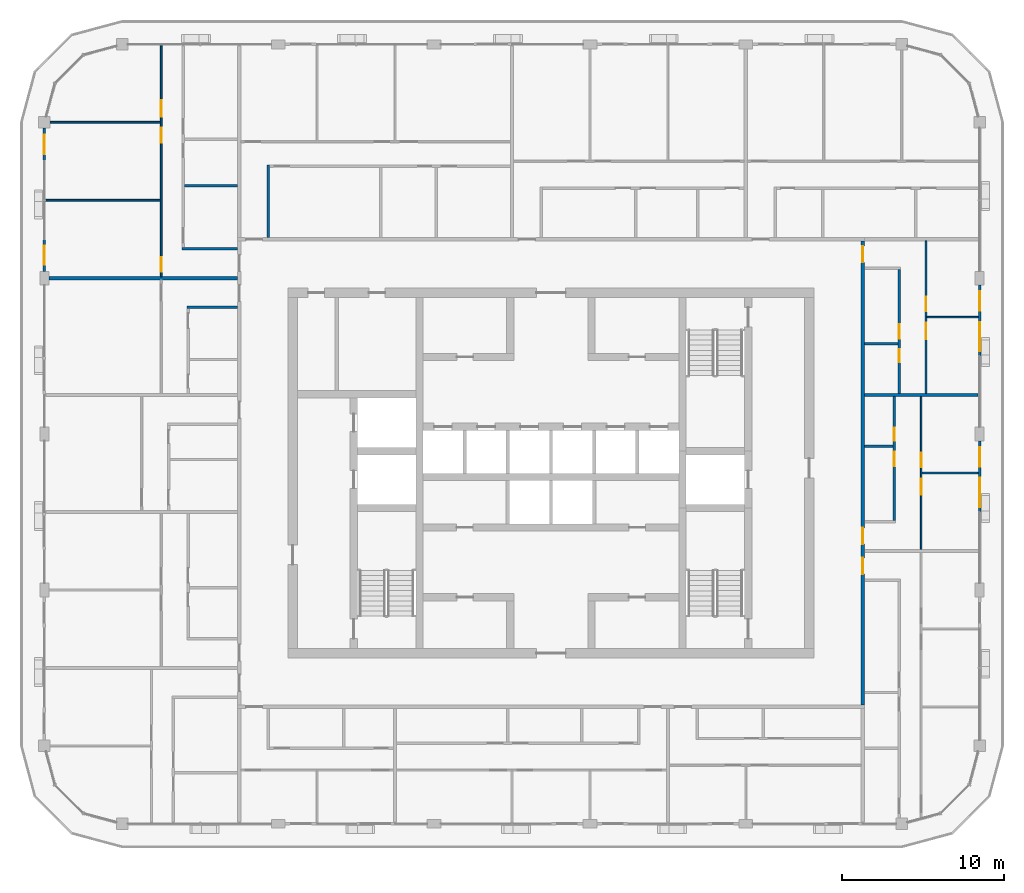
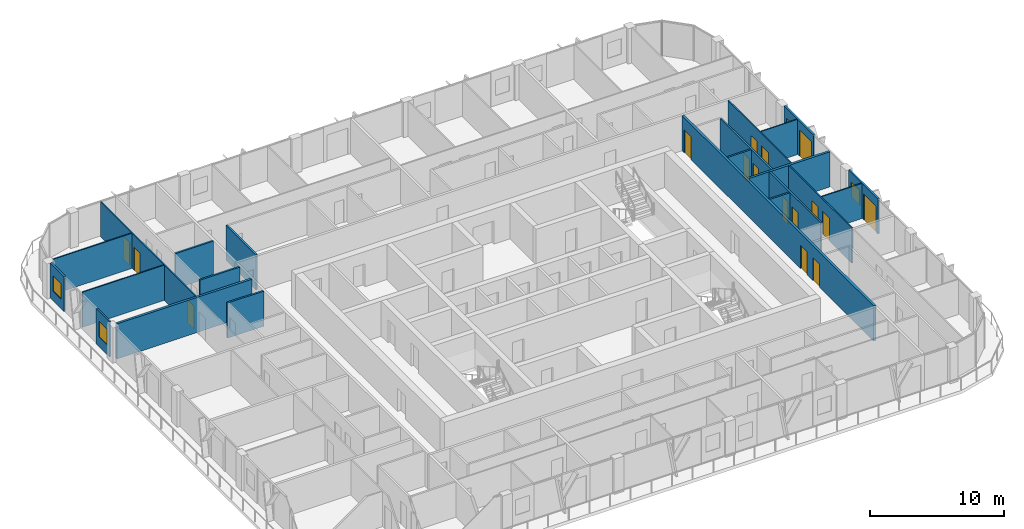
# One storey, part 13 of 21: 22 walls, 16 doors, 4 windows, 20 openings.
"""IFC4 building model written with IfcOpenShell, lengths in metres."""

from ifc_helpers import new_model, si_unit, direction, frame, frame_2d, origin, place, context, subcontext, project, spatial, rectangle, extrude, material, layer, layer_set, type_object, element, fill, save


model = new_model("IFC4")

# Units and contexts
model_context = context("Model", 3, precision=1e-05, world=origin(), true_north=direction((0.0, 1.0)))
body_context = subcontext(model_context, "Body", "Model", "MODEL_VIEW")
ifc_project = project(units=[si_unit("LENGTHUNIT", "METRE"), si_unit("AREAUNIT", "SQUARE_METRE"), si_unit("VOLUMEUNIT", "CUBIC_METRE"), si_unit("PLANEANGLEUNIT", "RADIAN"), si_unit("MASSUNIT", "GRAM", prefix="KILO")], contexts=[model_context])

# Site, building, storey
site_placement = place(None, origin())
site = spatial("IfcSite", under=ifc_project, at=site_placement, CompositionType="ELEMENT")
building_placement = place(site_placement, origin())
building = spatial("IfcBuilding", under=site, at=building_placement, Name="Madar Terraces", CompositionType="ELEMENT")
storey_placement = place(building_placement, frame((0.0, 0.0, 252.699951171875)))
storey = spatial("IfcBuildingStorey", under=building, at=storey_placement, Name="L66", CompositionType="ELEMENT", Elevation=252.699951171875)

# Wall, openings, door, window
ifc_material_1 = material(Name="Aluminium composite panel, black, over insulated backing", Category="aluminium")
ifc_layer_1 = layer(ifc_material_1, 0.14990234375)
ifc_layer_set_1 = layer_set([ifc_layer_1], Name="Facade bay panel 150")
wall_type_1 = type_object("IfcWallType", Name="Facade bay panel 150", PredefinedType="SOLIDWALL", material=ifc_layer_set_1)
wall_1_placement = place(storey_placement, frame((57.60009765625, 24.0, 0.0), z_axis=(0.0, 0.0, 1.0), x_axis=(0.0, 1.0, 0.0)))
wall_1 = element("IfcWall", 1, at=wall_1_placement, inside=storey, type_object=wall_type_1, Name="Facade bay panel", PredefinedType="SOLIDWALL", context=body_context, shape_type="SweptSolid", body=[
    extrude(rectangle(XDim=4.375, YDim=0.14990234375, at=frame_2d((2.1875, 0.0))), origin(), (0.0, 0.0, 1.0), 3.199951171875),
])
opening_1_placement = place(wall_1_placement, frame((0.300048828125, 0.0, 0.0)))
opening_1 = element("IfcOpeningElement", 2, at=opening_1_placement, cuts=wall_1, Name="Opening ED1", PredefinedType="OPENING", context=body_context, shape_type="SweptSolid", body=[
    extrude(rectangle(XDim=1.800048828125, YDim=2.39990234375, at=frame_2d((0.89990234375, 1.199951171875))), frame((0.0, 0.0849609375, 0.0), z_axis=(0.0, -1.0, 0.0), x_axis=(1.0, 0.0, 0.0)), (0.0, 0.0, 1.0), 0.169921875),
])
opening_2_placement = place(wall_1_placement, frame((2.78759765625, 0.0, 0.89990234375)))
opening_2 = element("IfcOpeningElement", 3, at=opening_2_placement, cuts=wall_1, Name="Opening W1", PredefinedType="OPENING", context=body_context, shape_type="SweptSolid", body=[
    extrude(rectangle(XDim=1.199951171875, YDim=1.39990234375, at=frame_2d((0.60009765625, 0.699951171875))), frame((0.0, 0.0849609375, 0.0), z_axis=(0.0, -1.0, 0.0), x_axis=(1.0, 0.0, 0.0)), (0.0, 0.0, 1.0), 0.169921875),
])
ifc_material_2 = material(Name="Glass, clear, with black aluminium frame", Category="aluminium")
door_type_1 = type_object("IfcDoorType", Name="Balcony and terrace sliding door 1800 x 2400", OperationType="SLIDING_TO_LEFT", PredefinedType="DOOR", material=ifc_material_2)
door_1_placement = place(opening_1_placement, origin())
door_1 = element("IfcDoor", 4, at=door_1_placement, inside=storey, type_object=door_type_1, Name="Balcony door", OperationType="SLIDING_TO_LEFT", OverallHeight=2.39990234375, OverallWidth=1.800048828125, PredefinedType="DOOR", context=body_context, shape_type="SweptSolid", body=[
    extrude(rectangle(XDim=1.800048828125, YDim=2.39990234375, at=frame_2d((0.89990234375, 1.199951171875))), frame((0.0, 0.02490234375, 0.0), z_axis=(0.0, -1.0, 0.0), x_axis=(1.0, 0.0, 0.0)), (0.0, 0.0, 1.0), 0.050048828125),
])
fill(opening_1, door_1)
ifc_material_3 = material(Name="Glass, clear, with black aluminium frame", Category="aluminium")
window_type = type_object("IfcWindowType", Name="Vent window 1200 x 1400", PartitioningType="SINGLE_PANEL", PredefinedType="WINDOW", material=ifc_material_3)
window_1_placement = place(opening_2_placement, origin())
window_1 = element("IfcWindow", 5, at=window_1_placement, inside=storey, type_object=window_type, Name="Operable vent window", OverallHeight=1.39990234375, OverallWidth=1.199951171875, PartitioningType="SINGLE_PANEL", PredefinedType="WINDOW", context=body_context, shape_type="SweptSolid", body=[
    extrude(rectangle(XDim=1.199951171875, YDim=1.39990234375, at=frame_2d((0.60009765625, 0.699951171875))), frame((0.0, 0.030029296875, 0.0), z_axis=(0.0, -1.0, 0.0), x_axis=(1.0, 0.0, 0.0)), (0.0, 0.0, 1.0), 0.06005859375),
])
fill(opening_2, window_1)

wall_2_placement = place(storey_placement, frame((57.60009765625, 33.60009765625, 0.0), z_axis=(0.0, 0.0, 1.0), x_axis=(0.0, 1.0, 0.0)))
wall_2 = element("IfcWall", 6, at=wall_2_placement, inside=storey, type_object=wall_type_1, Name="Facade bay panel", PredefinedType="SOLIDWALL", context=body_context, shape_type="SweptSolid", body=[
    extrude(rectangle(XDim=4.375, YDim=0.14990234375, at=frame_2d((2.1875, 0.0))), origin(), (0.0, 0.0, 1.0), 3.199951171875),
])
opening_3_placement = place(wall_2_placement, frame((0.300048828125, 0.0, 0.0)))
opening_3 = element("IfcOpeningElement", 7, at=opening_3_placement, cuts=wall_2, Name="Opening ED1", PredefinedType="OPENING", context=body_context, shape_type="SweptSolid", body=[
    extrude(rectangle(XDim=1.800048828125, YDim=2.39990234375, at=frame_2d((0.89990234375, 1.199951171875))), frame((0.0, 0.0849609375, 0.0), z_axis=(0.0, -1.0, 0.0), x_axis=(1.0, 0.0, 0.0)), (0.0, 0.0, 1.0), 0.169921875),
])
opening_4_placement = place(wall_2_placement, frame((2.78759765625, 0.0, 0.89990234375)))
opening_4 = element("IfcOpeningElement", 8, at=opening_4_placement, cuts=wall_2, Name="Opening W1", PredefinedType="OPENING", context=body_context, shape_type="SweptSolid", body=[
    extrude(rectangle(XDim=1.199951171875, YDim=1.39990234375, at=frame_2d((0.60009765625, 0.699951171875))), frame((0.0, 0.0849609375, 0.0), z_axis=(0.0, -1.0, 0.0), x_axis=(1.0, 0.0, 0.0)), (0.0, 0.0, 1.0), 0.169921875),
])
door_2_placement = place(opening_3_placement, origin())
door_2 = element("IfcDoor", 9, at=door_2_placement, inside=storey, type_object=door_type_1, Name="Balcony door", OperationType="SLIDING_TO_RIGHT", OverallHeight=2.39990234375, OverallWidth=1.800048828125, PredefinedType="DOOR", context=body_context, shape_type="SweptSolid", body=[
    extrude(rectangle(XDim=1.800048828125, YDim=2.39990234375, at=frame_2d((0.89990234375, 1.199951171875))), frame((0.0, 0.02490234375, 0.0), z_axis=(0.0, -1.0, 0.0), x_axis=(1.0, 0.0, 0.0)), (0.0, 0.0, 1.0), 0.050048828125),
])
fill(opening_3, door_2)
window_2_placement = place(opening_4_placement, origin())
window_2 = element("IfcWindow", 10, at=window_2_placement, inside=storey, type_object=window_type, Name="Operable vent window", OverallHeight=1.39990234375, OverallWidth=1.199951171875, PartitioningType="SINGLE_PANEL", PredefinedType="WINDOW", context=body_context, shape_type="SweptSolid", body=[
    extrude(rectangle(XDim=1.199951171875, YDim=1.39990234375, at=frame_2d((0.60009765625, 0.699951171875))), frame((0.0, 0.030029296875, 0.0), z_axis=(0.0, -1.0, 0.0), x_axis=(1.0, 0.0, 0.0)), (0.0, 0.0, 1.0), 0.06005859375),
])
fill(opening_4, window_2)

# Wall, opening, window
wall_3_placement = place(storey_placement, frame((0.0, 47.64990234375, 0.0), z_axis=(0.0, 0.0, 1.0), x_axis=(0.0, -1.0, 0.0)))
wall_3 = element("IfcWall", 11, at=wall_3_placement, inside=storey, type_object=wall_type_1, Name="Facade bay panel", PredefinedType="SOLIDWALL", context=body_context, shape_type="SweptSolid", body=[
    extrude(rectangle(XDim=2.0498046875, YDim=0.14990234375, at=frame_2d((1.02490234375, 0.0))), origin(), (0.0, 0.0, 1.0), 3.199951171875),
])
opening_5_placement = place(wall_3_placement, frame((0.425048828125, 0.0, 0.89990234375)))
opening_5 = element("IfcOpeningElement", 12, at=opening_5_placement, cuts=wall_3, Name="Opening W1", PredefinedType="OPENING", context=body_context, shape_type="SweptSolid", body=[
    extrude(rectangle(XDim=1.199951171875, YDim=1.39990234375, at=frame_2d((0.60009765625, 0.699951171875))), frame((0.0, 0.0849609375, 0.0), z_axis=(0.0, -1.0, 0.0), x_axis=(1.0, 0.0, 0.0)), (0.0, 0.0, 1.0), 0.169921875),
])
window_3_placement = place(opening_5_placement, origin())
window_3 = element("IfcWindow", 13, at=window_3_placement, inside=storey, type_object=window_type, Name="Operable vent window", OverallHeight=1.39990234375, OverallWidth=1.199951171875, PartitioningType="SINGLE_PANEL", PredefinedType="WINDOW", context=body_context, shape_type="SweptSolid", body=[
    extrude(rectangle(XDim=1.199951171875, YDim=1.39990234375, at=frame_2d((0.60009765625, 0.699951171875))), frame((0.0, 0.030029296875, 0.0), z_axis=(0.0, -1.0, 0.0), x_axis=(1.0, 0.0, 0.0)), (0.0, 0.0, 1.0), 0.06005859375),
])
fill(opening_5, window_3)

wall_4_placement = place(storey_placement, frame((0.0, 40.800048828125, 0.0), z_axis=(0.0, 0.0, 1.0), x_axis=(0.0, -1.0, 0.0)))
wall_4 = element("IfcWall", 14, at=wall_4_placement, inside=storey, type_object=wall_type_1, Name="Facade bay panel", PredefinedType="SOLIDWALL", context=body_context, shape_type="SweptSolid", body=[
    extrude(rectangle(XDim=1.97509765625, YDim=0.14990234375, at=frame_2d((0.987548828125, 0.0))), origin(), (0.0, 0.0, 1.0), 3.199951171875),
])
opening_6_placement = place(wall_4_placement, frame((0.387451171875, 0.0, 0.89990234375)))
opening_6 = element("IfcOpeningElement", 15, at=opening_6_placement, cuts=wall_4, Name="Opening W1", PredefinedType="OPENING", context=body_context, shape_type="SweptSolid", body=[
    extrude(rectangle(XDim=1.199951171875, YDim=1.39990234375, at=frame_2d((0.60009765625, 0.699951171875))), frame((0.0, 0.0849609375, 0.0), z_axis=(0.0, -1.0, 0.0), x_axis=(1.0, 0.0, 0.0)), (0.0, 0.0, 1.0), 0.169921875),
])
window_4_placement = place(opening_6_placement, origin())
window_4 = element("IfcWindow", 16, at=window_4_placement, inside=storey, type_object=window_type, Name="Operable vent window", OverallHeight=1.39990234375, OverallWidth=1.199951171875, PartitioningType="SINGLE_PANEL", PredefinedType="WINDOW", context=body_context, shape_type="SweptSolid", body=[
    extrude(rectangle(XDim=1.199951171875, YDim=1.39990234375, at=frame_2d((0.60009765625, 0.699951171875))), frame((0.0, 0.030029296875, 0.0), z_axis=(0.0, -1.0, 0.0), x_axis=(1.0, 0.0, 0.0)), (0.0, 0.0, 1.0), 0.06005859375),
])
fill(opening_6, window_4)

# Wall
ifc_material_4 = material(Name="Gypsum board on steel studs", Category="steel")
ifc_layer_2 = layer(ifc_material_4, 0.10009765625)
ifc_layer_set_2 = layer_set([ifc_layer_2], Name="Flat partition 100")
wall_type_2 = type_object("IfcWallType", Name="Flat partition 100", PredefinedType="PARTITIONING", material=ifc_layer_set_2)
wall_5_placement = place(storey_placement, frame((54.050048828125, 26.39990234375, 0.0), z_axis=(0.0, 0.0, 1.0), x_axis=(1.0, 0.0, 0.0)))
element("IfcWall", 17, at=wall_5_placement, inside=storey, type_object=wall_type_2, Name="Flat partition 100", PredefinedType="PARTITIONING", context=body_context, shape_type="SweptSolid", body=[
    extrude(rectangle(XDim=3.449951171875, YDim=0.10009765625, at=frame_2d((1.72509765625, 0.0))), origin(), (0.0, 0.0, 1.0), 3.199951171875),
])

# Wall, openings, doors
wall_6_placement = place(storey_placement, frame((54.0, 31.10009765625, 0.0), z_axis=(0.0, 0.0, 1.0), x_axis=(0.0, -1.0, 0.0)))
wall_6 = element("IfcWall", 18, at=wall_6_placement, inside=storey, type_object=wall_type_2, Name="Flat partition 100", PredefinedType="PARTITIONING", context=body_context, shape_type="SweptSolid", body=[
    extrude(rectangle(XDim=9.400146484375, YDim=0.10009765625, at=frame_2d((4.7001953125, 0.0))), origin(), (0.0, 0.0, 1.0), 3.199951171875),
])
opening_7_placement = place(wall_6_placement, frame((5.050048828125, 0.0, 0.0)))
opening_7 = element("IfcOpeningElement", 19, at=opening_7_placement, cuts=wall_6, Name="Opening D3", PredefinedType="OPENING", context=body_context, shape_type="SweptSolid", body=[
    extrude(rectangle(XDim=1.0, YDim=2.10009765625, at=frame_2d((0.5, 1.050048828125))), frame((0.0, 0.06005859375, 0.0), z_axis=(0.0, -1.0, 0.0), x_axis=(1.0, 0.0, 0.0)), (0.0, 0.0, 1.0), 0.1201171875),
])
opening_8_placement = place(wall_6_placement, frame((3.449951171875, 0.0, 0.0)))
opening_8 = element("IfcOpeningElement", 20, at=opening_8_placement, cuts=wall_6, Name="Opening D2", PredefinedType="OPENING", context=body_context, shape_type="SweptSolid", body=[
    extrude(rectangle(XDim=0.89990234375, YDim=2.10009765625, at=frame_2d((0.449951171875, 1.050048828125))), frame((0.0, 0.06005859375, 0.0), z_axis=(0.0, -1.0, 0.0), x_axis=(1.0, 0.0, 0.0)), (0.0, 0.0, 1.0), 0.1201171875),
])
ifc_material_5 = material(Name="Timber door leaf", Category="wood")
door_type_2 = type_object("IfcDoorType", Name="Flat living room door 1000", OperationType="NOTDEFINED", PredefinedType="DOOR", material=ifc_material_5)
door_3_placement = place(opening_7_placement, origin())
door_3 = element("IfcDoor", 21, at=door_3_placement, inside=storey, type_object=door_type_2, Name="Flat living room door 1000", OperationType="SINGLE_SWING_LEFT", OverallHeight=2.10009765625, OverallWidth=1.0, PredefinedType="DOOR", context=body_context, shape_type="SweptSolid", body=[
    extrude(rectangle(XDim=1.0, YDim=2.10009765625, at=frame_2d((0.5, 1.050048828125))), frame((0.0, 0.02490234375, 0.0), z_axis=(0.0, -1.0, 0.0), x_axis=(1.0, 0.0, 0.0)), (0.0, 0.0, 1.0), 0.050048828125),
])
fill(opening_7, door_3)
ifc_material_6 = material(Name="Timber door leaf", Category="wood")
door_type_3 = type_object("IfcDoorType", Name="Flat room door 900", OperationType="NOTDEFINED", PredefinedType="DOOR", material=ifc_material_6)
door_4_placement = place(opening_8_placement, origin())
door_4 = element("IfcDoor", 22, at=door_4_placement, inside=storey, type_object=door_type_3, Name="Flat room door 900", OperationType="SINGLE_SWING_RIGHT", OverallHeight=2.10009765625, OverallWidth=0.89990234375, PredefinedType="DOOR", context=body_context, shape_type="SweptSolid", body=[
    extrude(rectangle(XDim=0.89990234375, YDim=2.10009765625, at=frame_2d((0.449951171875, 1.050048828125))), frame((0.0, 0.02490234375, 0.0), z_axis=(0.0, -1.0, 0.0), x_axis=(1.0, 0.0, 0.0)), (0.0, 0.0, 1.0), 0.050048828125),
])
fill(opening_8, door_4)

# Wall
wall_7_placement = place(storey_placement, frame((54.35009765625, 36.0, 0.0), z_axis=(0.0, 0.0, 1.0), x_axis=(1.0, 0.0, 0.0)))
element("IfcWall", 23, at=wall_7_placement, inside=storey, type_object=wall_type_2, Name="Flat partition 100", PredefinedType="PARTITIONING", context=body_context, shape_type="SweptSolid", body=[
    extrude(rectangle(XDim=3.14990234375, YDim=0.10009765625, at=frame_2d((1.574951171875, 0.0))), origin(), (0.0, 0.0, 1.0), 3.199951171875),
])

# Wall, openings, doors
wall_8_placement = place(storey_placement, frame((54.300048828125, 40.699951171875, 0.0), z_axis=(0.0, 0.0, 1.0), x_axis=(0.0, -1.0, 0.0)))
wall_8 = element("IfcWall", 24, at=wall_8_placement, inside=storey, type_object=wall_type_2, Name="Flat partition 100", PredefinedType="PARTITIONING", context=body_context, shape_type="SweptSolid", body=[
    extrude(rectangle(XDim=9.39990234375, YDim=0.10009765625, at=frame_2d((4.699951171875, 0.0))), origin(), (0.0, 0.0, 1.0), 3.199951171875),
])
opening_9_placement = place(wall_8_placement, frame((3.449951171875, 0.0, 0.0)))
opening_9 = element("IfcOpeningElement", 25, at=opening_9_placement, cuts=wall_8, Name="Opening D2", PredefinedType="OPENING", context=body_context, shape_type="SweptSolid", body=[
    extrude(rectangle(XDim=0.89990234375, YDim=2.10009765625, at=frame_2d((0.449951171875, 1.050048828125))), frame((0.0, 0.06005859375, 0.0), z_axis=(0.0, -1.0, 0.0), x_axis=(1.0, 0.0, 0.0)), (0.0, 0.0, 1.0), 0.1201171875),
])
opening_10_placement = place(wall_8_placement, frame((5.050048828125, 0.0, 0.0)))
opening_10 = element("IfcOpeningElement", 26, at=opening_10_placement, cuts=wall_8, Name="Opening D3", PredefinedType="OPENING", context=body_context, shape_type="SweptSolid", body=[
    extrude(rectangle(XDim=1.0, YDim=2.10009765625, at=frame_2d((0.5, 1.050048828125))), frame((0.0, 0.06005859375, 0.0), z_axis=(0.0, -1.0, 0.0), x_axis=(1.0, 0.0, 0.0)), (0.0, 0.0, 1.0), 0.1201171875),
])
door_5_placement = place(opening_10_placement, origin())
door_5 = element("IfcDoor", 27, at=door_5_placement, inside=storey, type_object=door_type_2, Name="Flat living room door 1000", OperationType="SINGLE_SWING_LEFT", OverallHeight=2.10009765625, OverallWidth=1.0, PredefinedType="DOOR", context=body_context, shape_type="SweptSolid", body=[
    extrude(rectangle(XDim=1.0, YDim=2.10009765625, at=frame_2d((0.5, 1.050048828125))), frame((0.0, 0.02490234375, 0.0), z_axis=(0.0, -1.0, 0.0), x_axis=(1.0, 0.0, 0.0)), (0.0, 0.0, 1.0), 0.050048828125),
])
fill(opening_10, door_5)
door_6_placement = place(opening_9_placement, origin())
door_6 = element("IfcDoor", 28, at=door_6_placement, inside=storey, type_object=door_type_3, Name="Flat room door 900", OperationType="SINGLE_SWING_RIGHT", OverallHeight=2.10009765625, OverallWidth=0.89990234375, PredefinedType="DOOR", context=body_context, shape_type="SweptSolid", body=[
    extrude(rectangle(XDim=0.89990234375, YDim=2.10009765625, at=frame_2d((0.449951171875, 1.050048828125))), frame((0.0, 0.02490234375, 0.0), z_axis=(0.0, -1.0, 0.0), x_axis=(1.0, 0.0, 0.0)), (0.0, 0.0, 1.0), 0.050048828125),
])
fill(opening_9, door_6)

# Walls
wall_9_placement = place(storey_placement, frame((7.14990234375, 43.199951171875, 0.0), z_axis=(0.0, 0.0, 1.0), x_axis=(-1.0, 0.0, 0.0)))
element("IfcWall", 29, at=wall_9_placement, inside=storey, type_object=wall_type_2, Name="Flat partition 100", PredefinedType="PARTITIONING", context=body_context, shape_type="SweptSolid", body=[
    extrude(rectangle(XDim=7.0498046875, YDim=0.10009765625, at=frame_2d((3.52490234375, 0.0))), origin(), (0.0, 0.0, 1.0), 3.199951171875),
])
wall_10_placement = place(storey_placement, frame((7.14990234375, 48.0, 0.0), z_axis=(0.0, 0.0, 1.0), x_axis=(-1.0, 0.0, 0.0)))
element("IfcWall", 30, at=wall_10_placement, inside=storey, type_object=wall_type_2, Name="Flat partition 100", PredefinedType="PARTITIONING", context=body_context, shape_type="SweptSolid", body=[
    extrude(rectangle(XDim=6.7998046875, YDim=0.10009765625, at=frame_2d((3.39990234375, 0.0))), origin(), (0.0, 0.0, 1.0), 3.199951171875),
])

# Wall, openings, doors
wall_11_placement = place(storey_placement, frame((7.199951171875, 38.5, 0.0), z_axis=(0.0, 0.0, 1.0), x_axis=(0.0, 1.0, 0.0)))
wall_11 = element("IfcWall", 31, at=wall_11_placement, inside=storey, type_object=wall_type_2, Name="Flat partition 100", PredefinedType="PARTITIONING", context=body_context, shape_type="SweptSolid", body=[
    extrude(rectangle(XDim=14.199951171875, YDim=0.10009765625, at=frame_2d((7.10009765625, 0.0))), origin(), (0.0, 0.0, 1.0), 3.199951171875),
])
opening_11_placement = place(wall_11_placement, frame((0.300048828125, 0.0, 0.0)))
opening_11 = element("IfcOpeningElement", 32, at=opening_11_placement, cuts=wall_11, Name="Opening D2", PredefinedType="OPENING", context=body_context, shape_type="SweptSolid", body=[
    extrude(rectangle(XDim=0.89990234375, YDim=2.10009765625, at=frame_2d((0.449951171875, 1.050048828125))), frame((0.0, 0.06005859375, 0.0), z_axis=(0.0, -1.0, 0.0), x_axis=(1.0, 0.0, 0.0)), (0.0, 0.0, 1.0), 0.1201171875),
])
opening_12_placement = place(wall_11_placement, frame((8.25, 0.0, 0.0)))
opening_12 = element("IfcOpeningElement", 33, at=opening_12_placement, cuts=wall_11, Name="Opening D2", PredefinedType="OPENING", context=body_context, shape_type="SweptSolid", body=[
    extrude(rectangle(XDim=0.89990234375, YDim=2.10009765625, at=frame_2d((0.449951171875, 1.050048828125))), frame((0.0, 0.06005859375, 0.0), z_axis=(0.0, -1.0, 0.0), x_axis=(1.0, 0.0, 0.0)), (0.0, 0.0, 1.0), 0.1201171875),
])
opening_13_placement = place(wall_11_placement, frame((9.85009765625, 0.0, 0.0)))
opening_13 = element("IfcOpeningElement", 34, at=opening_13_placement, cuts=wall_11, Name="Opening D3", PredefinedType="OPENING", context=body_context, shape_type="SweptSolid", body=[
    extrude(rectangle(XDim=1.0, YDim=2.10009765625, at=frame_2d((0.5, 1.050048828125))), frame((0.0, 0.06005859375, 0.0), z_axis=(0.0, -1.0, 0.0), x_axis=(1.0, 0.0, 0.0)), (0.0, 0.0, 1.0), 0.1201171875),
])
door_7_placement = place(opening_13_placement, origin())
door_7 = element("IfcDoor", 35, at=door_7_placement, inside=storey, type_object=door_type_2, Name="Flat living room door 1000", OperationType="SINGLE_SWING_LEFT", OverallHeight=2.10009765625, OverallWidth=1.0, PredefinedType="DOOR", context=body_context, shape_type="SweptSolid", body=[
    extrude(rectangle(XDim=1.0, YDim=2.10009765625, at=frame_2d((0.5, 1.050048828125))), frame((0.0, 0.02490234375, 0.0), z_axis=(0.0, -1.0, 0.0), x_axis=(1.0, 0.0, 0.0)), (0.0, 0.0, 1.0), 0.050048828125),
])
fill(opening_13, door_7)
door_8_placement = place(opening_11_placement, origin())
door_8 = element("IfcDoor", 36, at=door_8_placement, inside=storey, type_object=door_type_3, Name="Flat room door 900", OperationType="SINGLE_SWING_LEFT", OverallHeight=2.10009765625, OverallWidth=0.89990234375, PredefinedType="DOOR", context=body_context, shape_type="SweptSolid", body=[
    extrude(rectangle(XDim=0.89990234375, YDim=2.10009765625, at=frame_2d((0.449951171875, 1.050048828125))), frame((0.0, 0.02490234375, 0.0), z_axis=(0.0, -1.0, 0.0), x_axis=(1.0, 0.0, 0.0)), (0.0, 0.0, 1.0), 0.050048828125),
])
fill(opening_11, door_8)
door_9_placement = place(opening_12_placement, origin())
door_9 = element("IfcDoor", 37, at=door_9_placement, inside=storey, type_object=door_type_3, Name="Flat room door 900", OperationType="SINGLE_SWING_RIGHT", OverallHeight=2.10009765625, OverallWidth=0.89990234375, PredefinedType="DOOR", context=body_context, shape_type="SweptSolid", body=[
    extrude(rectangle(XDim=0.89990234375, YDim=2.10009765625, at=frame_2d((0.449951171875, 1.050048828125))), frame((0.0, 0.02490234375, 0.0), z_axis=(0.0, -1.0, 0.0), x_axis=(1.0, 0.0, 0.0)), (0.0, 0.0, 1.0), 0.050048828125),
])
fill(opening_12, door_9)

ifc_material_7 = material(Name="Lightweight blockwork", Category="masonry")
ifc_layer_3 = layer(ifc_material_7, 0.199951171875)
ifc_layer_set_3 = layer_set([ifc_layer_3], Name="Flat party and entrance wall 200")
wall_type_3 = type_object("IfcWallType", Name="Flat party and entrance wall 200", PredefinedType="PARTITIONING", material=ifc_layer_set_3)
wall_12_placement = place(storey_placement, frame((50.39990234375, 40.699951171875, 0.0), z_axis=(0.0, 0.0, 1.0), x_axis=(0.0, -1.0, 0.0)))
wall_12 = element("IfcWall", 38, at=wall_12_placement, inside=storey, type_object=wall_type_3, Name="Flat party and entrance wall 200", PredefinedType="PARTITIONING", context=body_context, shape_type="SweptSolid", body=[
    extrude(rectangle(XDim=28.599853515625, YDim=0.199951171875, at=frame_2d((14.2998046875, 0.0))), origin(), (0.0, 0.0, 1.0), 3.199951171875),
])
opening_14_placement = place(wall_12_placement, frame((19.52490234375, 0.0, 0.0)))
opening_14 = element("IfcOpeningElement", 39, at=opening_14_placement, cuts=wall_12, Name="Opening D1", PredefinedType="OPENING", context=body_context, shape_type="SweptSolid", body=[
    extrude(rectangle(XDim=1.0, YDim=2.10009765625, at=frame_2d((0.5, 1.050048828125))), frame((0.0, 0.10986328125, 0.0), z_axis=(0.0, -1.0, 0.0), x_axis=(1.0, 0.0, 0.0)), (0.0, 0.0, 1.0), 0.219970703125),
])
opening_15_placement = place(wall_12_placement, frame((17.675048828125, 0.0, 0.0)))
opening_15 = element("IfcOpeningElement", 40, at=opening_15_placement, cuts=wall_12, Name="Opening D1", PredefinedType="OPENING", context=body_context, shape_type="SweptSolid", body=[
    extrude(rectangle(XDim=1.0, YDim=2.10009765625, at=frame_2d((0.5, 1.050048828125))), frame((0.0, 0.10986328125, 0.0), z_axis=(0.0, -1.0, 0.0), x_axis=(1.0, 0.0, 0.0)), (0.0, 0.0, 1.0), 0.219970703125),
])
opening_16_placement = place(wall_12_placement, frame((0.324951171875, 0.0, 0.0)))
opening_16 = element("IfcOpeningElement", 41, at=opening_16_placement, cuts=wall_12, Name="Opening D1", PredefinedType="OPENING", context=body_context, shape_type="SweptSolid", body=[
    extrude(rectangle(XDim=1.0, YDim=2.10009765625, at=frame_2d((0.5, 1.050048828125))), frame((0.0, 0.10986328125, 0.0), z_axis=(0.0, -1.0, 0.0), x_axis=(1.0, 0.0, 0.0)), (0.0, 0.0, 1.0), 0.219970703125),
])
ifc_material_8 = material(Name="Timber fire door leaf", Category="wood")
door_type_4 = type_object("IfcDoorType", Name="Flat entrance door 1000 FD30S", OperationType="NOTDEFINED", PredefinedType="DOOR", material=ifc_material_8)
door_10_placement = place(opening_14_placement, origin())
door_10 = element("IfcDoor", 42, at=door_10_placement, inside=storey, type_object=door_type_4, Name="Flat entrance door 1000 FD30S", OperationType="SINGLE_SWING_LEFT", OverallHeight=2.10009765625, OverallWidth=1.0, PredefinedType="DOOR", context=body_context, shape_type="SweptSolid", body=[
    extrude(rectangle(XDim=1.0, YDim=2.10009765625, at=frame_2d((0.5, 1.050048828125))), frame((0.0, 0.02490234375, 0.0), z_axis=(0.0, -1.0, 0.0), x_axis=(1.0, 0.0, 0.0)), (0.0, 0.0, 1.0), 0.050048828125),
])
fill(opening_14, door_10)
door_11_placement = place(opening_15_placement, origin())
door_11 = element("IfcDoor", 43, at=door_11_placement, inside=storey, type_object=door_type_4, Name="Flat entrance door 1000 FD30S", OperationType="SINGLE_SWING_RIGHT", OverallHeight=2.10009765625, OverallWidth=1.0, PredefinedType="DOOR", context=body_context, shape_type="SweptSolid", body=[
    extrude(rectangle(XDim=1.0, YDim=2.10009765625, at=frame_2d((0.5, 1.050048828125))), frame((0.0, 0.02490234375, 0.0), z_axis=(0.0, -1.0, 0.0), x_axis=(1.0, 0.0, 0.0)), (0.0, 0.0, 1.0), 0.050048828125),
])
fill(opening_15, door_11)
door_12_placement = place(opening_16_placement, origin())
door_12 = element("IfcDoor", 44, at=door_12_placement, inside=storey, type_object=door_type_4, Name="Flat entrance door 1000 FD30S", OperationType="SINGLE_SWING_LEFT", OverallHeight=2.10009765625, OverallWidth=1.0, PredefinedType="DOOR", context=body_context, shape_type="SweptSolid", body=[
    extrude(rectangle(XDim=1.0, YDim=2.10009765625, at=frame_2d((0.5, 1.050048828125))), frame((0.0, 0.02490234375, 0.0), z_axis=(0.0, -1.0, 0.0), x_axis=(1.0, 0.0, 0.0)), (0.0, 0.0, 1.0), 0.050048828125),
])
fill(opening_16, door_12)

# Walls
wall_13_placement = place(storey_placement, frame((50.5, 31.199951171875, 0.0), z_axis=(0.0, 0.0, 1.0), x_axis=(1.0, 0.0, 0.0)))
element("IfcWall", 45, at=wall_13_placement, inside=storey, type_object=wall_type_3, Name="Flat party and entrance wall 200", PredefinedType="PARTITIONING", context=body_context, shape_type="SweptSolid", body=[
    extrude(rectangle(XDim=7.0, YDim=0.199951171875, at=frame_2d((3.5, 0.0))), origin(), (0.0, 0.0, 1.0), 3.199951171875),
])
wall_14_placement = place(storey_placement, frame((0.27490234375, 38.39990234375, 0.0), z_axis=(0.0, 0.0, 1.0), x_axis=(1.0, 0.0, 0.0)))
element("IfcWall", 46, at=wall_14_placement, inside=storey, type_object=wall_type_3, Name="Flat party and entrance wall 200", PredefinedType="PARTITIONING", context=body_context, shape_type="SweptSolid", body=[
    extrude(rectangle(XDim=11.625, YDim=0.199951171875, at=frame_2d((5.8125, 0.0))), origin(), (0.0, 0.0, 1.0), 3.199951171875),
])
ifc_material_9 = material(Name="Lightweight blockwork", Category="masonry")
ifc_layer_4 = layer(ifc_material_9, 0.14990234375)
ifc_layer_set_4 = layer_set([ifc_layer_4], Name="Flat wet-room partition 150")
wall_type_4 = type_object("IfcWallType", Name="Flat wet-room partition 150", PredefinedType="PARTITIONING", material=ifc_layer_set_4)
wall_15_placement = place(storey_placement, frame((50.5, 28.050048828125, 0.0), z_axis=(0.0, 0.0, 1.0), x_axis=(1.0, 0.0, 0.0)))
element("IfcWall", 47, at=wall_15_placement, inside=storey, type_object=wall_type_4, Name="Flat wet-room partition 150", PredefinedType="PARTITIONING", context=body_context, shape_type="SweptSolid", body=[
    extrude(rectangle(XDim=1.77490234375, YDim=0.14990234375, at=frame_2d((0.887451171875, 0.0))), origin(), (0.0, 0.0, 1.0), 3.199951171875),
])

# Wall, openings, doors
wall_16_placement = place(storey_placement, frame((52.35009765625, 23.47509765625, 0.0), z_axis=(0.0, 0.0, 1.0), x_axis=(0.0, 1.0, 0.0)))
wall_16 = element("IfcWall", 48, at=wall_16_placement, inside=storey, type_object=wall_type_4, Name="Flat wet-room partition 150", PredefinedType="PARTITIONING", context=body_context, shape_type="SweptSolid", body=[
    extrude(rectangle(XDim=7.625, YDim=0.14990234375, at=frame_2d((3.8125, 0.0))), origin(), (0.0, 0.0, 1.0), 3.199951171875),
])
opening_17_placement = place(wall_16_placement, frame((3.35009765625, 0.0, 0.0)))
opening_17 = element("IfcOpeningElement", 49, at=opening_17_placement, cuts=wall_16, Name="Opening D2", PredefinedType="OPENING", context=body_context, shape_type="SweptSolid", body=[
    extrude(rectangle(XDim=0.89990234375, YDim=2.10009765625, at=frame_2d((0.449951171875, 1.050048828125))), frame((0.0, 0.0849609375, 0.0), z_axis=(0.0, -1.0, 0.0), x_axis=(1.0, 0.0, 0.0)), (0.0, 0.0, 1.0), 0.169921875),
])
opening_18_placement = place(wall_16_placement, frame((4.89990234375, 0.0, 0.0)))
opening_18 = element("IfcOpeningElement", 50, at=opening_18_placement, cuts=wall_16, Name="Opening D4", PredefinedType="OPENING", context=body_context, shape_type="SweptSolid", body=[
    extrude(rectangle(XDim=0.800048828125, YDim=2.10009765625, at=frame_2d((0.39990234375, 1.050048828125))), frame((0.0, 0.0849609375, 0.0), z_axis=(0.0, -1.0, 0.0), x_axis=(1.0, 0.0, 0.0)), (0.0, 0.0, 1.0), 0.169921875),
])
ifc_material_10 = material(Name="Timber door leaf", Category="wood")
door_type_5 = type_object("IfcDoorType", Name="Flat bathroom door 800", OperationType="NOTDEFINED", PredefinedType="DOOR", material=ifc_material_10)
door_13_placement = place(opening_18_placement, origin())
door_13 = element("IfcDoor", 51, at=door_13_placement, inside=storey, type_object=door_type_5, Name="Flat bathroom door 800", OperationType="SINGLE_SWING_LEFT", OverallHeight=2.10009765625, OverallWidth=0.800048828125, PredefinedType="DOOR", context=body_context, shape_type="SweptSolid", body=[
    extrude(rectangle(XDim=0.800048828125, YDim=2.10009765625, at=frame_2d((0.39990234375, 1.050048828125))), frame((0.0, 0.02490234375, 0.0), z_axis=(0.0, -1.0, 0.0), x_axis=(1.0, 0.0, 0.0)), (0.0, 0.0, 1.0), 0.050048828125),
])
fill(opening_18, door_13)
door_14_placement = place(opening_17_placement, origin())
door_14 = element("IfcDoor", 52, at=door_14_placement, inside=storey, type_object=door_type_3, Name="Flat room door 900", OperationType="SINGLE_SWING_RIGHT", OverallHeight=2.10009765625, OverallWidth=0.89990234375, PredefinedType="DOOR", context=body_context, shape_type="SweptSolid", body=[
    extrude(rectangle(XDim=0.89990234375, YDim=2.10009765625, at=frame_2d((0.449951171875, 1.050048828125))), frame((0.0, 0.02490234375, 0.0), z_axis=(0.0, -1.0, 0.0), x_axis=(1.0, 0.0, 0.0)), (0.0, 0.0, 1.0), 0.050048828125),
])
fill(opening_17, door_14)

# Wall
wall_17_placement = place(storey_placement, frame((50.5, 34.35009765625, 0.0), z_axis=(0.0, 0.0, 1.0), x_axis=(1.0, 0.0, 0.0)))
element("IfcWall", 53, at=wall_17_placement, inside=storey, type_object=wall_type_4, Name="Flat wet-room partition 150", PredefinedType="PARTITIONING", context=body_context, shape_type="SweptSolid", body=[
    extrude(rectangle(XDim=2.074951171875, YDim=0.14990234375, at=frame_2d((1.03759765625, 0.0))), origin(), (0.0, 0.0, 1.0), 3.199951171875),
])

# Wall, openings, doors
wall_18_placement = place(storey_placement, frame((52.64990234375, 31.300048828125, 0.0), z_axis=(0.0, 0.0, 1.0), x_axis=(0.0, 1.0, 0.0)))
wall_18 = element("IfcWall", 54, at=wall_18_placement, inside=storey, type_object=wall_type_4, Name="Flat wet-room partition 150", PredefinedType="PARTITIONING", context=body_context, shape_type="SweptSolid", body=[
    extrude(rectangle(XDim=7.625, YDim=0.14990234375, at=frame_2d((3.8125, 0.0))), origin(), (0.0, 0.0, 1.0), 3.199951171875),
])
opening_19_placement = place(wall_18_placement, frame((3.375, 0.0, 0.0)))
opening_19 = element("IfcOpeningElement", 55, at=opening_19_placement, cuts=wall_18, Name="Opening D2", PredefinedType="OPENING", context=body_context, shape_type="SweptSolid", body=[
    extrude(rectangle(XDim=0.89990234375, YDim=2.10009765625, at=frame_2d((0.449951171875, 1.050048828125))), frame((0.0, 0.0849609375, 0.0), z_axis=(0.0, -1.0, 0.0), x_axis=(1.0, 0.0, 0.0)), (0.0, 0.0, 1.0), 0.169921875),
])
opening_20_placement = place(wall_18_placement, frame((1.925048828125, 0.0, 0.0)))
opening_20 = element("IfcOpeningElement", 56, at=opening_20_placement, cuts=wall_18, Name="Opening D4", PredefinedType="OPENING", context=body_context, shape_type="SweptSolid", body=[
    extrude(rectangle(XDim=0.800048828125, YDim=2.10009765625, at=frame_2d((0.39990234375, 1.050048828125))), frame((0.0, 0.0849609375, 0.0), z_axis=(0.0, -1.0, 0.0), x_axis=(1.0, 0.0, 0.0)), (0.0, 0.0, 1.0), 0.169921875),
])
door_15_placement = place(opening_20_placement, origin())
door_15 = element("IfcDoor", 57, at=door_15_placement, inside=storey, type_object=door_type_5, Name="Flat bathroom door 800", OperationType="SINGLE_SWING_RIGHT", OverallHeight=2.10009765625, OverallWidth=0.800048828125, PredefinedType="DOOR", context=body_context, shape_type="SweptSolid", body=[
    extrude(rectangle(XDim=0.800048828125, YDim=2.10009765625, at=frame_2d((0.39990234375, 1.050048828125))), frame((0.0, 0.02490234375, 0.0), z_axis=(0.0, -1.0, 0.0), x_axis=(1.0, 0.0, 0.0)), (0.0, 0.0, 1.0), 0.050048828125),
])
fill(opening_20, door_15)
door_16_placement = place(opening_19_placement, origin())
door_16 = element("IfcDoor", 58, at=door_16_placement, inside=storey, type_object=door_type_3, Name="Flat room door 900", OperationType="SINGLE_SWING_LEFT", OverallHeight=2.10009765625, OverallWidth=0.89990234375, PredefinedType="DOOR", context=body_context, shape_type="SweptSolid", body=[
    extrude(rectangle(XDim=0.89990234375, YDim=2.10009765625, at=frame_2d((0.449951171875, 1.050048828125))), frame((0.0, 0.02490234375, 0.0), z_axis=(0.0, -1.0, 0.0), x_axis=(1.0, 0.0, 0.0)), (0.0, 0.0, 1.0), 0.050048828125),
])
fill(opening_19, door_16)

# Walls
wall_19_placement = place(storey_placement, frame((13.800048828125, 40.89990234375, 0.0), z_axis=(0.0, 0.0, 1.0), x_axis=(0.0, 1.0, 0.0)))
element("IfcWall", 59, at=wall_19_placement, inside=storey, type_object=wall_type_4, Name="Flat wet-room partition 150", PredefinedType="PARTITIONING", context=body_context, shape_type="SweptSolid", body=[
    extrude(rectangle(XDim=4.47509765625, YDim=0.14990234375, at=frame_2d((2.237548828125, 0.0))), origin(), (0.0, 0.0, 1.0), 3.199951171875),
])
wall_20_placement = place(storey_placement, frame((11.89990234375, 44.09814453125, 0.0), z_axis=(0.0, 0.0, 1.0), x_axis=(-1.0, 0.0, 0.0)))
element("IfcWall", 60, at=wall_20_placement, inside=storey, type_object=wall_type_4, Name="Flat wet-room partition 150", PredefinedType="PARTITIONING", context=body_context, shape_type="SweptSolid", body=[
    extrude(rectangle(XDim=3.27490234375, YDim=0.14990234375, at=frame_2d((1.637451171875, 0.0))), origin(), (0.0, 0.0, 1.0), 3.199951171875),
])
wall_21_placement = place(storey_placement, frame((11.89990234375, 40.199951171875, 0.0), z_axis=(0.0, 0.0, 1.0), x_axis=(-1.0, 0.0, 0.0)))
element("IfcWall", 61, at=wall_21_placement, inside=storey, type_object=wall_type_4, Name="Flat wet-room partition 150", PredefinedType="PARTITIONING", context=body_context, shape_type="SweptSolid", body=[
    extrude(rectangle(XDim=3.4248046875, YDim=0.14990234375, at=frame_2d((1.71240234375, 0.0))), origin(), (0.0, 0.0, 1.0), 3.199951171875),
])
wall_22_placement = place(storey_placement, frame((11.89990234375, 36.60009765625, 0.0), z_axis=(0.0, 0.0, 1.0), x_axis=(-1.0, 0.0, 0.0)))
element("IfcWall", 62, at=wall_22_placement, inside=storey, type_object=wall_type_4, Name="Flat wet-room partition 150", PredefinedType="PARTITIONING", context=body_context, shape_type="SweptSolid", body=[
    extrude(rectangle(XDim=3.125, YDim=0.14990234375, at=frame_2d((1.5625, 0.0))), origin(), (0.0, 0.0, 1.0), 3.199951171875),
])

save(model, "model.ifc")
